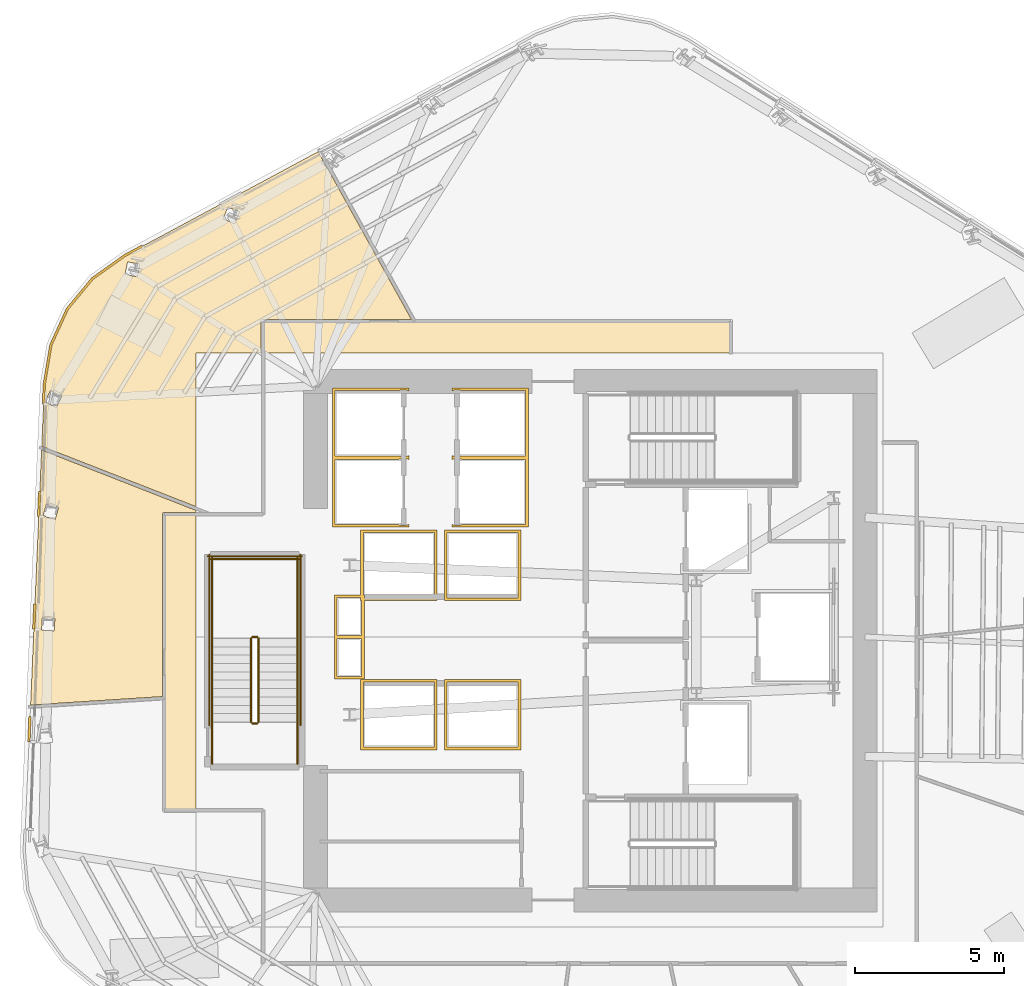
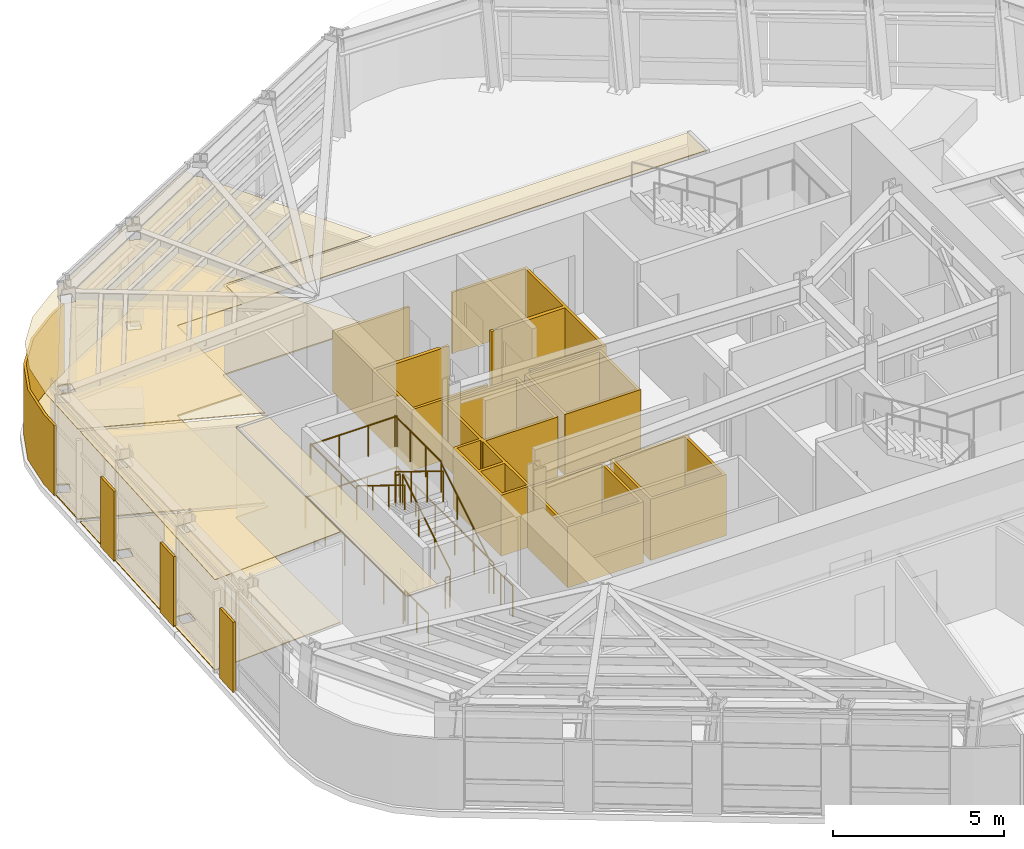
# One storey, part 11 of 14: 16 coverings, 14 railings.
"""IFC4 building model written with IfcOpenShell, lengths in metres."""

from ifc_helpers import new_model, si_unit, direction, frame, origin, origin_2d, place, context, subcontext, project, spatial, polyline, circle, outline, extrude, material, layer, layer_set, type_object, element, save


model = new_model("IFC4")

# Units and contexts
model_context = context("Model", 3, precision=1e-05, world=origin(), true_north=direction((0.0, 1.0)))
body_context = subcontext(model_context, "Body", "Model", "MODEL_VIEW")
ifc_project = project(units=[si_unit("LENGTHUNIT", "METRE"), si_unit("AREAUNIT", "SQUARE_METRE"), si_unit("VOLUMEUNIT", "CUBIC_METRE"), si_unit("PLANEANGLEUNIT", "RADIAN"), si_unit("MASSUNIT", "GRAM", prefix="KILO")], contexts=[model_context])

# Site, building, storey
site_placement = place(None, origin())
site = spatial("IfcSite", under=ifc_project, at=site_placement, CompositionType="ELEMENT")
building_placement = place(site_placement, origin())
building = spatial("IfcBuilding", under=site, at=building_placement, Name="Valkerne Bourse Tower", CompositionType="ELEMENT")
storey_placement = place(building_placement, frame((0.0, 0.0, 143.800048828125)))
storey = spatial("IfcBuildingStorey", under=building, at=storey_placement, Name="L36", CompositionType="ELEMENT", Elevation=143.800048828125)

# Coverings
ifc_material_1 = material(Name="Mineral Fiber Acoustic Ceiling Tile", Category="acoustic")
ifc_layer_1 = layer(ifc_material_1, 0.02490234375)
ifc_layer_set_1 = layer_set([ifc_layer_1], Name="Mineral Fiber Acoustic Ceiling Tile")
covering_type_1 = type_object("IfcCoveringType", Name="COV-CEIL-ACT", PredefinedType="CEILING", material=ifc_layer_set_1)
covering_1_placement = place(storey_placement, frame((0.0, 0.0, 3.22998046875)))
element("IfcCovering", 1, at=covering_1_placement, inside=storey, type_object=covering_type_1, Name="L36 Suspended Ceiling 05", PredefinedType="CEILING", context=body_context, shape_type="SweptSolid", body=[
    extrude(outline(polyline([(32.546630859375, 31.1689453125), (32.50830078125, 31.1552734375), (32.48291015625, 31.116455078125), (32.48095703125, 25.003662109375), (28.072265625, 24.721435546875), (28.4404296875, 33.25537109375), (33.60009765625, 31.236328125), (33.60009765625, 31.1689453125), (32.546630859375, 31.1689453125)]), holes=[polyline([(28.887451171875, 27.614990234375), (28.463623046875, 27.642578125), (28.4365234375, 27.23046875), (28.436279296875, 27.227783203125), (28.860107421875, 27.199951171875), (28.88720703125, 27.6123046875), (28.887451171875, 27.614990234375)]), polyline([(29.0087890625, 31.332275390625), (29.009521484375, 31.3349609375), (28.600341796875, 31.4482421875), (28.489990234375, 31.050048828125), (28.489501953125, 31.047607421875), (28.898681640625, 30.93408203125), (29.0087890625, 31.332275390625)])]), origin(), (0.0, 0.0, 1.0), 0.02490234375),
])
covering_2_placement = place(storey_placement, frame((0.0, 0.0, 3.22998046875)))
element("IfcCovering", 2, at=covering_2_placement, inside=storey, type_object=covering_type_1, Name="L36 Suspended Ceiling 09", PredefinedType="CEILING", context=body_context, shape_type="SweptSolid", body=[
    extrude(outline(polyline([(29.306640625, 37.973388671875), (30.147705078125, 38.990234375), (31.2314453125, 39.760498046875), (37.697998046875, 43.23779296875), (37.8623046875, 42.942626953125), (37.80517578125, 42.85693359375), (37.9716796875, 42.745361328125), (40.814697265625, 37.62890625), (35.849609375, 37.62890625), (35.820068359375, 37.622314453125), (35.794677734375, 37.6015625), (35.781005859375, 37.560791015625), (35.781005859375, 36.5), (33.60009765625, 36.5), (33.60009765625, 31.363037109375), (28.44580078125, 33.3798828125), (28.53564453125, 35.462890625), (28.75732421875, 36.773681640625), (29.306640625, 37.973388671875)]), holes=[polyline([(29.119384765625, 35.053466796875), (28.739013671875, 35.24169921875), (28.555908203125, 34.871337890625), (28.5546875, 34.868896484375), (28.935302734375, 34.6806640625), (29.118408203125, 35.05078125), (29.119384765625, 35.053466796875)]), polyline([(31.723388671875, 39.46875), (31.317138671875, 39.5498046875), (31.315185546875, 39.547607421875), (31.23388671875, 39.1318359375), (31.639892578125, 39.051025390625), (31.6416015625, 39.05322265625), (31.723388671875, 39.46875)]), polyline([(35.05908203125, 41.22900390625), (34.675537109375, 41.384765625), (34.67333984375, 41.3828125), (34.51513671875, 40.989990234375), (34.89892578125, 40.834228515625), (34.90087890625, 40.836181640625), (35.05908203125, 41.22900390625)])]), origin(), (0.0, 0.0, 1.0), 0.02490234375),
])
ifc_material_2 = material(Name="Bronze Anodised Aluminium AA 6063-T6", Category="aluminium")
ifc_layer_2 = layer(ifc_material_2, 0.030029296875)
ifc_layer_set_2 = layer_set([ifc_layer_2], Name="Bronze Anodised Aluminium AA 6063-T6")
covering_type_2 = type_object("IfcCoveringType", Name="COV-CEIL-METAL", PredefinedType="CEILING", material=ifc_layer_set_2)
covering_3_placement = place(storey_placement, frame((0.0, 0.0, 3.22998046875)))
element("IfcCovering", 3, at=covering_3_placement, inside=storey, type_object=covering_type_2, Name="L36 Suspended Ceiling 02", PredefinedType="CEILING", context=body_context, shape_type="SweptSolid", body=[
    extrude(outline(polyline([(32.553955078125, 21.2041015625), (32.553955078125, 31.095947265625), (33.60009765625, 31.095947265625), (33.60009765625, 21.2041015625), (32.553955078125, 21.2041015625)])), origin(), (0.0, 0.0, 1.0), 0.02490234375),
])
covering_4_placement = place(storey_placement, frame((0.0, 0.0, 3.22998046875)))
element("IfcCovering", 4, at=covering_4_placement, inside=storey, type_object=covering_type_2, Name="L36 Suspended Ceiling 03", PredefinedType="CEILING", context=body_context, shape_type="SweptSolid", body=[
    extrude(outline(polyline([(35.85400390625, 37.555908203125), (51.49609375, 37.555908203125), (51.49609375, 36.5), (35.85400390625, 36.5), (35.85400390625, 37.555908203125)])), origin(), (0.0, 0.0, 1.0), 0.02490234375),
])
ifc_layer_3 = layer(ifc_material_2, 0.06005859375)
ifc_layer_set_3 = layer_set([ifc_layer_3], Name="Bronze Anodised Aluminium AA 6063-T6")
covering_type_3 = type_object("IfcCoveringType", Name="COV-CRN-ALUM", PredefinedType="CLADDING", material=ifc_layer_set_3)
covering_5_placement = place(storey_placement, origin())
element("IfcCovering", 5, at=covering_5_placement, inside=storey, type_object=covering_type_3, Name="L36 Wind-Shaped Corner Aluminium Cladding 10", PredefinedType="CLADDING", context=body_context, shape_type="SweptSolid", body=[
    extrude(outline(polyline([(28.01171875, 24.335693359375), (28.091552734375, 24.332763671875), (28.055419921875, 23.493408203125), (27.975341796875, 23.496337890625), (28.01171875, 24.335693359375)])), origin(), (0.0, 0.0, 1.0), 2.5),
])
covering_6_placement = place(storey_placement, origin())
element("IfcCovering", 6, at=covering_6_placement, inside=storey, type_object=covering_type_3, Name="L36 Wind-Shaped Corner Aluminium Cladding 11", PredefinedType="CLADDING", context=body_context, shape_type="SweptSolid", body=[
    extrude(outline(polyline([(28.174072265625, 28.103271484375), (28.254150390625, 28.100341796875), (28.218017578125, 27.260986328125), (28.137939453125, 27.263916015625), (28.174072265625, 28.103271484375)])), origin(), (0.0, 0.0, 1.0), 2.5),
])
covering_7_placement = place(storey_placement, origin())
element("IfcCovering", 7, at=covering_7_placement, inside=storey, type_object=covering_type_3, Name="L36 Wind-Shaped Corner Aluminium Cladding 12", PredefinedType="CLADDING", context=body_context, shape_type="SweptSolid", body=[
    extrude(outline(polyline([(28.336669921875, 31.870849609375), (28.41650390625, 31.867919921875), (28.38037109375, 31.028564453125), (28.300537109375, 31.031494140625), (28.336669921875, 31.870849609375)])), origin(), (0.0, 0.0, 1.0), 2.5),
])
covering_8_placement = place(storey_placement, origin())
element("IfcCovering", 8, at=covering_8_placement, inside=storey, type_object=covering_type_3, Name="L36 Wind-Shaped Corner Aluminium Cladding 13", PredefinedType="CLADDING", context=body_context, shape_type="SweptSolid", body=[
    extrude(outline(polyline([(28.49169921875, 35.467529296875), (28.71484375, 36.786865234375), (29.26904296875, 37.9970703125), (30.11767578125, 39.022705078125), (31.208251953125, 39.7978515625), (31.79736328125, 40.11474609375), (31.8349609375, 40.0439453125), (31.25048828125, 39.729736328125), (30.172607421875, 38.963623046875), (29.33740234375, 37.9541015625), (28.7919921875, 36.76318359375), (28.571533203125, 35.458984375), (28.54296875, 34.796142578125), (28.462890625, 34.79931640625), (28.49169921875, 35.467529296875)])), origin(), (0.0, 0.0, 1.0), 2.5),
])
ifc_material_3 = material(Name="Galvanised Painted Steel", Category="steel")
ifc_layer_4 = layer(ifc_material_3, 0.044921875)
ifc_layer_set_4 = layer_set([ifc_layer_4], Name="Galvanised Painted Steel")
covering_type_4 = type_object("IfcCoveringType", Name="COV-FLR-RAF", PredefinedType="FLOORING", material=ifc_layer_set_4)
covering_9_placement = place(storey_placement, origin())
element("IfcCovering", 9, at=covering_9_placement, inside=storey, type_object=covering_type_4, Name="L36 Floor Finish 09", PredefinedType="FLOORING", context=body_context, shape_type="SweptSolid", body=[
    extrude(outline(polyline([(29.306640625, 37.973388671875), (30.147705078125, 38.990234375), (31.2314453125, 39.760498046875), (37.697998046875, 43.23779296875), (37.8623046875, 42.942626953125), (37.80517578125, 42.85693359375), (37.9716796875, 42.745361328125), (40.814697265625, 37.62890625), (35.849609375, 37.62890625), (35.820068359375, 37.622314453125), (35.794677734375, 37.6015625), (35.781005859375, 37.560791015625), (35.781005859375, 36.5), (33.60009765625, 36.5), (33.60009765625, 31.363037109375), (28.44580078125, 33.3798828125), (28.53564453125, 35.462890625), (28.75732421875, 36.773681640625), (29.306640625, 37.973388671875)]), holes=[polyline([(29.119384765625, 35.053466796875), (28.739013671875, 35.24169921875), (28.555908203125, 34.871337890625), (28.5546875, 34.868896484375), (28.935302734375, 34.6806640625), (29.118408203125, 35.05078125), (29.119384765625, 35.053466796875)]), polyline([(31.723388671875, 39.46875), (31.317138671875, 39.5498046875), (31.315185546875, 39.547607421875), (31.23388671875, 39.1318359375), (31.639892578125, 39.051025390625), (31.6416015625, 39.05322265625), (31.723388671875, 39.46875)]), polyline([(35.05908203125, 41.22900390625), (34.675537109375, 41.384765625), (34.67333984375, 41.3828125), (34.51513671875, 40.989990234375), (34.89892578125, 40.834228515625), (34.90087890625, 40.836181640625), (35.05908203125, 41.22900390625)])]), origin(), (0.0, 0.0, 1.0), 0.044921875),
])
ifc_material_4 = material(Name="Polished Granite Stone", Category="masonry")
ifc_layer_5 = layer(ifc_material_4, 0.030029296875)
ifc_layer_set_5 = layer_set([ifc_layer_5], Name="Polished Granite Stone")
covering_type_5 = type_object("IfcCoveringType", Name="COV-FLR-TERRAZZO", PredefinedType="FLOORING", material=ifc_layer_set_5)
covering_10_placement = place(storey_placement, origin())
element("IfcCovering", 10, at=covering_10_placement, inside=storey, type_object=covering_type_5, Name="L36 Floor Finish 05", PredefinedType="FLOORING", context=body_context, shape_type="SweptSolid", body=[
    extrude(outline(polyline([(32.546630859375, 31.1689453125), (32.50830078125, 31.1552734375), (32.48291015625, 31.116455078125), (32.48095703125, 25.003662109375), (28.072265625, 24.721435546875), (28.4404296875, 33.25537109375), (33.60009765625, 31.236328125), (33.60009765625, 31.1689453125), (32.546630859375, 31.1689453125)]), holes=[polyline([(28.887451171875, 27.614990234375), (28.463623046875, 27.642578125), (28.4365234375, 27.23046875), (28.436279296875, 27.227783203125), (28.860107421875, 27.199951171875), (28.88720703125, 27.6123046875), (28.887451171875, 27.614990234375)]), polyline([(29.0087890625, 31.332275390625), (29.009521484375, 31.3349609375), (28.600341796875, 31.4482421875), (28.489990234375, 31.050048828125), (28.489501953125, 31.047607421875), (28.898681640625, 30.93408203125), (29.0087890625, 31.332275390625)])]), origin(), (0.0, 0.0, 1.0), 0.030029296875),
])
ifc_material_5 = material(Name="Gypsum Shaftwall Liner Board", Category="gypsum")
ifc_layer_6 = layer(ifc_material_5, 0.080078125)
ifc_layer_set_6 = layer_set([ifc_layer_6], Name="Gypsum Shaftwall Liner Board")
covering_type_6 = type_object("IfcCoveringType", Name="COV-SHF-CLAD", PredefinedType="CLADDING", material=ifc_layer_set_6)
covering_11_placement = place(storey_placement, origin())
element("IfcCovering", 11, at=covering_11_placement, inside=storey, type_object=covering_type_6, Name="L36 Hoistway & Riser Shaftwall Liner 01", PredefinedType="CLADDING", context=body_context, shape_type="SweptSolid", body=[
    extrude(outline(polyline([(41.679931640625, 25.580078125), (41.679931640625, 23.219970703125), (39.1201171875, 23.219970703125), (39.1201171875, 25.580078125), (41.679931640625, 25.580078125)]), holes=[polyline([(41.590087890625, 25.489990234375), (39.2099609375, 25.489990234375), (39.2099609375, 23.31005859375), (41.590087890625, 23.31005859375), (41.590087890625, 25.489990234375)])]), origin(), (0.0, 0.0, 1.0), 2.179931640625),
])
covering_12_placement = place(storey_placement, origin())
element("IfcCovering", 12, at=covering_12_placement, inside=storey, type_object=covering_type_6, Name="L36 Hoistway & Riser Shaftwall Liner 02", PredefinedType="CLADDING", context=body_context, shape_type="SweptSolid", body=[
    extrude(outline(polyline([(44.47998046875, 23.219970703125), (41.919921875, 23.219970703125), (41.919921875, 25.580078125), (44.47998046875, 25.580078125), (44.47998046875, 23.219970703125)]), holes=[polyline([(42.010009765625, 25.489990234375), (42.010009765625, 23.31005859375), (44.389892578125, 23.31005859375), (44.389892578125, 25.489990234375), (42.010009765625, 25.489990234375)])]), origin(), (0.0, 0.0, 1.0), 2.179931640625),
])
covering_13_placement = place(storey_placement, origin())
element("IfcCovering", 13, at=covering_13_placement, inside=storey, type_object=covering_type_6, Name="L36 Hoistway & Riser Shaftwall Liner 03", PredefinedType="CLADDING", context=body_context, shape_type="SweptSolid", body=[
    extrude(outline(polyline([(38.239990234375, 28.409912109375), (39.1201171875, 28.409912109375), (39.1201171875, 30.580078125), (41.679931640625, 30.580078125), (41.679931640625, 28.219970703125), (39.239990234375, 28.219970703125), (39.239990234375, 27.0400390625), (39.239990234375, 26.9599609375), (39.239990234375, 25.590087890625), (38.239990234375, 25.590087890625), (38.239990234375, 26.9599609375), (38.239990234375, 27.0400390625), (38.239990234375, 28.409912109375)]), holes=[polyline([(38.330078125, 26.949951171875), (38.330078125, 25.679931640625), (39.14990234375, 25.679931640625), (39.14990234375, 26.949951171875), (38.330078125, 26.949951171875)]), polyline([(39.2099609375, 30.489990234375), (39.2099609375, 28.409912109375), (39.239990234375, 28.409912109375), (39.239990234375, 28.31005859375), (41.590087890625, 28.31005859375), (41.590087890625, 30.489990234375), (39.2099609375, 30.489990234375)]), polyline([(38.330078125, 27.050048828125), (39.14990234375, 27.050048828125), (39.14990234375, 28.219970703125), (39.1201171875, 28.219970703125), (39.1201171875, 28.320068359375), (38.330078125, 28.320068359375), (38.330078125, 27.050048828125)])]), origin(), (0.0, 0.0, 1.0), 2.179931640625),
])
covering_14_placement = place(storey_placement, origin())
element("IfcCovering", 14, at=covering_14_placement, inside=storey, type_object=covering_type_6, Name="L36 Hoistway & Riser Shaftwall Liner 04", PredefinedType="CLADDING", context=body_context, shape_type="SweptSolid", body=[
    extrude(outline(polyline([(38.169921875, 35.330078125), (40.72998046875, 35.330078125), (40.72998046875, 35.232177734375), (40.72216796875, 35.235595703125), (40.6806640625, 35.25048828125), (40.6376953125, 35.261474609375), (40.593994140625, 35.267822265625), (40.550048828125, 35.27001953125), (40.505859375, 35.267822265625), (40.462158203125, 35.261474609375), (40.41943359375, 35.25048828125), (40.3896484375, 35.239990234375), (38.260009765625, 35.239990234375), (38.260009765625, 33.06005859375), (40.3896484375, 33.06005859375), (40.41943359375, 33.04931640625), (40.462158203125, 33.03857421875), (40.505859375, 33.0322265625), (40.550048828125, 33.030029296875), (40.593994140625, 33.0322265625), (40.6376953125, 33.03857421875), (40.6806640625, 33.04931640625), (40.72216796875, 33.064208984375), (40.72998046875, 33.06787109375), (40.72998046875, 33.030029296875), (40.72998046875, 32.969970703125), (40.72998046875, 32.93212890625), (40.72216796875, 32.935791015625), (40.6806640625, 32.95068359375), (40.6376953125, 32.96142578125), (40.593994140625, 32.9677734375), (40.550048828125, 32.969970703125), (40.505859375, 32.9677734375), (40.462158203125, 32.96142578125), (40.41943359375, 32.95068359375), (40.3896484375, 32.93994140625), (38.260009765625, 32.93994140625), (38.260009765625, 30.760009765625), (40.3896484375, 30.760009765625), (40.41943359375, 30.74951171875), (40.462158203125, 30.738525390625), (40.505859375, 30.732177734375), (40.550048828125, 30.72998046875), (40.593994140625, 30.732177734375), (40.6376953125, 30.738525390625), (40.6806640625, 30.74951171875), (40.72216796875, 30.764404296875), (40.72998046875, 30.767822265625), (40.72998046875, 30.669921875), (38.169921875, 30.669921875), (38.169921875, 32.969970703125), (38.169921875, 33.030029296875), (38.169921875, 35.330078125)])), origin(), (0.0, 0.0, 1.0), 2.179931640625),
])
covering_15_placement = place(storey_placement, origin())
element("IfcCovering", 15, at=covering_15_placement, inside=storey, type_object=covering_type_6, Name="L36 Hoistway & Riser Shaftwall Liner 07", PredefinedType="CLADDING", context=body_context, shape_type="SweptSolid", body=[
    extrude(outline(polyline([(44.47998046875, 28.219970703125), (41.919921875, 28.219970703125), (41.919921875, 30.580078125), (44.47998046875, 30.580078125), (44.47998046875, 28.219970703125)]), holes=[polyline([(42.010009765625, 30.489990234375), (42.010009765625, 28.31005859375), (44.389892578125, 28.31005859375), (44.389892578125, 30.489990234375), (42.010009765625, 30.489990234375)])]), origin(), (0.0, 0.0, 1.0), 2.179931640625),
])
covering_16_placement = place(storey_placement, origin())
element("IfcCovering", 16, at=covering_16_placement, inside=storey, type_object=covering_type_6, Name="L36 Hoistway & Riser Shaftwall Liner 09", PredefinedType="CLADDING", context=body_context, shape_type="SweptSolid", body=[
    extrude(outline(polyline([(42.169921875, 33.06787109375), (42.177734375, 33.064208984375), (42.219482421875, 33.04931640625), (42.26220703125, 33.03857421875), (42.305908203125, 33.0322265625), (42.35009765625, 33.030029296875), (42.39404296875, 33.0322265625), (42.437744140625, 33.03857421875), (42.480712890625, 33.04931640625), (42.51025390625, 33.06005859375), (44.639892578125, 33.06005859375), (44.639892578125, 35.239990234375), (42.51025390625, 35.239990234375), (42.480712890625, 35.25048828125), (42.437744140625, 35.261474609375), (42.39404296875, 35.267822265625), (42.35009765625, 35.27001953125), (42.305908203125, 35.267822265625), (42.26220703125, 35.261474609375), (42.219482421875, 35.25048828125), (42.177734375, 35.235595703125), (42.169921875, 35.232177734375), (42.169921875, 35.330078125), (44.72998046875, 35.330078125), (44.72998046875, 33.030029296875), (44.72998046875, 32.969970703125), (44.72998046875, 30.669921875), (42.169921875, 30.669921875), (42.169921875, 30.767822265625), (42.177734375, 30.764404296875), (42.219482421875, 30.74951171875), (42.26220703125, 30.738525390625), (42.305908203125, 30.732177734375), (42.35009765625, 30.72998046875), (42.39404296875, 30.732177734375), (42.437744140625, 30.738525390625), (42.480712890625, 30.74951171875), (42.51025390625, 30.760009765625), (44.639892578125, 30.760009765625), (44.639892578125, 32.93994140625), (42.51025390625, 32.93994140625), (42.480712890625, 32.95068359375), (42.437744140625, 32.96142578125), (42.39404296875, 32.9677734375), (42.35009765625, 32.969970703125), (42.305908203125, 32.9677734375), (42.26220703125, 32.96142578125), (42.219482421875, 32.95068359375), (42.177734375, 32.935791015625), (42.169921875, 32.93212890625), (42.169921875, 32.969970703125), (42.169921875, 33.030029296875), (42.169921875, 33.06787109375)])), origin(), (0.0, 0.0, 1.0), 2.179931640625),
])

# Railings
railing_type_1 = type_object("IfcRailingType", Name="RLG-ST-GUARD-1120", PredefinedType="GUARDRAIL", material=ifc_material_3)
railing_1_placement = place(storey_placement, frame((35.699951171875, 24.14990234375, 0.172607421875)))
element("IfcRailing", 17, at=railing_1_placement, inside=storey, type_object=railing_type_1, Name="L36 ST-3 stair guard 1", PredefinedType="GUARDRAIL", context=body_context, shape_type="SweptSolid", body=[
    extrude(circle(Radius=0.02392578125, at=origin_2d()), frame((0.0, 0.0, 1.09619140625), z_axis=(0.0, 0.851089632645, 0.525020415988), x_axis=(-1.0, 0.0, 0.0)), (0.0, 0.0, 1.0), 3.2900390625),
    extrude(circle(Radius=0.02099609375, at=origin_2d()), origin(), (0.0, 0.0, 1.0), 1.072021484375),
    extrude(circle(Radius=0.02099609375, at=origin_2d()), frame((0.0, 0.933349609375, 0.57568359375)), (0.0, 0.0, 1.0), 1.072021484375),
    extrude(circle(Radius=0.02099609375, at=origin_2d()), frame((0.0, 1.86669921875, 1.151611328125)), (0.0, 0.0, 1.0), 1.072021484375),
    extrude(circle(Radius=0.02099609375, at=origin_2d()), frame((0.0, 2.800048828125, 1.727294921875)), (0.0, 0.0, 1.0), 1.072021484375),
])
railing_2_placement = place(storey_placement, frame((35.64990234375, 27.0, 1.89990234375)))
element("IfcRailing", 18, at=railing_2_placement, inside=storey, type_object=railing_type_1, Name="L36 ST-3 stair guard 2", PredefinedType="GUARDRAIL", context=body_context, shape_type="SweptSolid", body=[
    extrude(circle(Radius=0.02392578125, at=origin_2d()), frame((0.0, 0.0, 1.09619140625), z_axis=(-1.0, 0.0, 0.0), x_axis=(0.0, -1.0, 0.0)), (0.0, 0.0, 1.0), 0.14990234375),
    extrude(circle(Radius=0.02099609375, at=origin_2d()), origin(), (0.0, 0.0, 1.0), 1.072021484375),
    extrude(circle(Radius=0.02099609375, at=origin_2d()), frame((-0.14990234375, 0.0, 0.0)), (0.0, 0.0, 1.0), 1.072021484375),
])
for number, where, name in (
    (19, (37.0, 26.949951171875, 1.89990234375), "L36 ST-3 stair guard 3"),
    (20, (34.14990234375, 26.949951171875, 1.89990234375), "L36 ST-3 stair guard 4"),
):
    element("IfcRailing", number, at=place(storey_placement, frame(where)), inside=storey, type_object=railing_type_1, Name=name, PredefinedType="GUARDRAIL", context=body_context, shape_type="SweptSolid", body=[
        extrude(circle(Radius=0.02392578125, at=origin_2d()), frame((0.0, 0.0, 1.09619140625), z_axis=(0.0, 1.0, 0.0), x_axis=(-1.0, 0.0, 0.0)), (0.0, 0.0, 1.0), 2.699951171875),
        extrude(circle(Radius=0.02099609375, at=origin_2d()), origin(), (0.0, 0.0, 1.0), 1.072021484375),
        extrude(circle(Radius=0.02099609375, at=origin_2d()), frame((0.0, 0.89990234375, 0.0)), (0.0, 0.0, 1.0), 1.072021484375),
        extrude(circle(Radius=0.02099609375, at=origin_2d()), frame((0.0, 1.800048828125, 0.0)), (0.0, 0.0, 1.0), 1.072021484375),
        extrude(circle(Radius=0.02099609375, at=origin_2d()), frame((0.0, 2.699951171875, 0.0)), (0.0, 0.0, 1.0), 1.072021484375),
    ])
railing_3_placement = place(storey_placement, frame((37.050048828125, 29.60009765625, 1.89990234375)))
element("IfcRailing", 21, at=railing_3_placement, inside=storey, type_object=railing_type_1, Name="L36 ST-3 stair guard 5", PredefinedType="GUARDRAIL", context=body_context, shape_type="SweptSolid", body=[
    extrude(circle(Radius=0.02392578125, at=origin_2d()), frame((0.0, 0.0, 1.09619140625), z_axis=(-1.0, 0.0, 0.0), x_axis=(0.0, -1.0, 0.0)), (0.0, 0.0, 1.0), 2.949951171875),
    extrude(circle(Radius=0.02099609375, at=origin_2d()), origin(), (0.0, 0.0, 1.0), 1.072021484375),
    extrude(circle(Radius=0.02099609375, at=origin_2d()), frame((-0.9833984375, 0.0, 0.0)), (0.0, 0.0, 1.0), 1.072021484375),
    extrude(circle(Radius=0.02099609375, at=origin_2d()), frame((-1.966552734375, 0.0, 0.0)), (0.0, 0.0, 1.0), 1.072021484375),
    extrude(circle(Radius=0.02099609375, at=origin_2d()), frame((-2.949951171875, 0.0, 0.0)), (0.0, 0.0, 1.0), 1.072021484375),
])
railing_4_placement = place(storey_placement, frame((35.449951171875, 26.949951171875, 2.07275390625)))
element("IfcRailing", 22, at=railing_4_placement, inside=storey, type_object=railing_type_1, Name="L36 ST-3 stair guard 6", PredefinedType="GUARDRAIL", context=body_context, shape_type="SweptSolid", body=[
    extrude(circle(Radius=0.02392578125, at=origin_2d()), frame((0.0, 0.0, 1.09619140625), z_axis=(0.0, -0.851089632645, 0.525020415988), x_axis=(1.0, 0.0, 0.0)), (0.0, 0.0, 1.0), 3.2900390625),
    extrude(circle(Radius=0.02099609375, at=origin_2d()), origin(), (0.0, 0.0, 1.0), 1.072021484375),
    extrude(circle(Radius=0.02099609375, at=origin_2d()), frame((0.0, -0.933349609375, 0.57568359375)), (0.0, 0.0, 1.0), 1.072021484375),
    extrude(circle(Radius=0.02099609375, at=origin_2d()), frame((0.0, -1.86669921875, 1.151611328125)), (0.0, 0.0, 1.0), 1.072021484375),
    extrude(circle(Radius=0.02099609375, at=origin_2d()), frame((0.0, -2.800048828125, 1.727294921875)), (0.0, 0.0, 1.0), 1.072021484375),
])
railing_5_placement = place(storey_placement, frame((35.64990234375, 24.10009765625, 0.0)))
element("IfcRailing", 23, at=railing_5_placement, inside=storey, type_object=railing_type_1, Name="L36 ST-3 stair guard 7", PredefinedType="GUARDRAIL", context=body_context, shape_type="SweptSolid", body=[
    extrude(circle(Radius=0.02392578125, at=origin_2d()), frame((0.0, 0.0, 1.09619140625), z_axis=(-1.0, 0.0, 0.0), x_axis=(0.0, -1.0, 0.0)), (0.0, 0.0, 1.0), 0.14990234375),
    extrude(circle(Radius=0.02099609375, at=origin_2d()), origin(), (0.0, 0.0, 1.0), 1.072021484375),
    extrude(circle(Radius=0.02099609375, at=origin_2d()), frame((-0.14990234375, 0.0, 0.0)), (0.0, 0.0, 1.0), 1.072021484375),
])
for number, where, name in (
    (24, (37.0, 22.75, 0.0), "L36 ST-3 stair guard 8"),
    (25, (34.14990234375, 22.75, 0.0), "L36 ST-3 stair guard 9"),
):
    element("IfcRailing", number, at=place(storey_placement, frame(where)), inside=storey, type_object=railing_type_1, Name=name, PredefinedType="GUARDRAIL", context=body_context, shape_type="SweptSolid", body=[
        extrude(circle(Radius=0.02392578125, at=origin_2d()), frame((0.0, 0.0, 1.09619140625), z_axis=(0.0, 1.0, 0.0), x_axis=(-1.0, 0.0, 0.0)), (0.0, 0.0, 1.0), 1.39990234375),
        extrude(circle(Radius=0.02099609375, at=origin_2d()), origin(), (0.0, 0.0, 1.0), 1.072021484375),
        extrude(circle(Radius=0.02099609375, at=origin_2d()), frame((0.0, 0.699951171875, 0.0)), (0.0, 0.0, 1.0), 1.072021484375),
        extrude(circle(Radius=0.02099609375, at=origin_2d()), frame((0.0, 1.39990234375, 0.0)), (0.0, 0.0, 1.0), 1.072021484375),
    ])
for number, where, name in (
    (26, (37.10009765625, 24.050048828125, 0.0), "L36 ST-3 stair guard 10"),
    (27, (34.050048828125, 24.050048828125, 0.0), "L36 ST-3 stair guard 11"),
):
    element("IfcRailing", number, at=place(storey_placement, frame(where)), inside=storey, type_object=railing_type_1, Name=name, PredefinedType="GUARDRAIL", context=body_context, shape_type="SweptSolid", body=[
        extrude(circle(Radius=0.02392578125, at=origin_2d()), frame((0.0, 0.0, 1.09619140625), z_axis=(0.0, 1.0, 0.0), x_axis=(-1.0, 0.0, 0.0)), (0.0, 0.0, 1.0), 5.699951171875),
        extrude(circle(Radius=0.02099609375, at=origin_2d()), origin(), (0.0, 0.0, 1.0), 1.072021484375),
        extrude(circle(Radius=0.02099609375, at=origin_2d()), frame((0.0, 1.139892578125, 0.0)), (0.0, 0.0, 1.0), 1.072021484375),
        extrude(circle(Radius=0.02099609375, at=origin_2d()), frame((0.0, 2.280029296875, 0.0)), (0.0, 0.0, 1.0), 1.072021484375),
        extrude(circle(Radius=0.02099609375, at=origin_2d()), frame((0.0, 3.419921875, 0.0)), (0.0, 0.0, 1.0), 1.072021484375),
        extrude(circle(Radius=0.02099609375, at=origin_2d()), frame((0.0, 4.56005859375, 0.0)), (0.0, 0.0, 1.0), 1.072021484375),
        extrude(circle(Radius=0.02099609375, at=origin_2d()), frame((0.0, 5.699951171875, 0.0)), (0.0, 0.0, 1.0), 1.072021484375),
    ])
railing_6_placement = place(storey_placement, frame((37.14990234375, 29.699951171875, 0.0)))
element("IfcRailing", 28, at=railing_6_placement, inside=storey, type_object=railing_type_1, Name="L36 ST-3 stair guard 12", PredefinedType="GUARDRAIL", context=body_context, shape_type="SweptSolid", body=[
    extrude(circle(Radius=0.02392578125, at=origin_2d()), frame((0.0, 0.0, 1.09619140625), z_axis=(-1.0, 0.0, 0.0), x_axis=(0.0, -1.0, 0.0)), (0.0, 0.0, 1.0), 3.14990234375),
    extrude(circle(Radius=0.02099609375, at=origin_2d()), origin(), (0.0, 0.0, 1.0), 1.072021484375),
    extrude(circle(Radius=0.02099609375, at=origin_2d()), frame((-1.050048828125, 0.0, 0.0)), (0.0, 0.0, 1.0), 1.072021484375),
    extrude(circle(Radius=0.02099609375, at=origin_2d()), frame((-2.099853515625, 0.0, 0.0)), (0.0, 0.0, 1.0), 1.072021484375),
    extrude(circle(Radius=0.02099609375, at=origin_2d()), frame((-3.14990234375, 0.0, 0.0)), (0.0, 0.0, 1.0), 1.072021484375),
])
ifc_material_6 = material(Name="Stainless Steel AISI 316", Category="steel")
railing_type_2 = type_object("IfcRailingType", Name="RLG-ST-HANDRAIL-900", PredefinedType="HANDRAIL", material=ifc_material_6)
railing_7_placement = place(storey_placement, frame((37.0, 24.14990234375, 0.345458984375)))
element("IfcRailing", 29, at=railing_7_placement, inside=storey, type_object=railing_type_2, Name="L36 ST-3 stair handrail 1", PredefinedType="HANDRAIL", context=body_context, shape_type="SweptSolid", body=[
    extrude(circle(Radius=0.02392578125, at=origin_2d()), frame((0.0, 0.0, 0.8759765625), z_axis=(0.0, 0.851089632645, 0.525020415988), x_axis=(-1.0, 0.0, 0.0)), (0.0, 0.0, 1.0), 3.2900390625),
    extrude(circle(Radius=0.02099609375, at=origin_2d()), origin(), (0.0, 0.0, 1.0), 0.851806640625),
    extrude(circle(Radius=0.02099609375, at=origin_2d()), frame((0.0, 0.933349609375, 0.57568359375)), (0.0, 0.0, 1.0), 0.851806640625),
    extrude(circle(Radius=0.02099609375, at=origin_2d()), frame((0.0, 1.86669921875, 1.151611328125)), (0.0, 0.0, 1.0), 0.851806640625),
    extrude(circle(Radius=0.02099609375, at=origin_2d()), frame((0.0, 2.800048828125, 1.727294921875)), (0.0, 0.0, 1.0), 0.851806640625),
])
railing_8_placement = place(storey_placement, frame((34.14990234375, 26.949951171875, 2.245361328125)))
element("IfcRailing", 30, at=railing_8_placement, inside=storey, type_object=railing_type_2, Name="L36 ST-3 stair handrail 2", PredefinedType="HANDRAIL", context=body_context, shape_type="SweptSolid", body=[
    extrude(circle(Radius=0.02392578125, at=origin_2d()), frame((0.0, 0.0, 0.8759765625), z_axis=(0.0, -0.851089632645, 0.525020415988), x_axis=(1.0, 0.0, 0.0)), (0.0, 0.0, 1.0), 3.2900390625),
    extrude(circle(Radius=0.02099609375, at=origin_2d()), origin(), (0.0, 0.0, 1.0), 0.851806640625),
    extrude(circle(Radius=0.02099609375, at=origin_2d()), frame((0.0, -0.933349609375, 0.57568359375)), (0.0, 0.0, 1.0), 0.851806640625),
    extrude(circle(Radius=0.02099609375, at=origin_2d()), frame((0.0, -1.86669921875, 1.151611328125)), (0.0, 0.0, 1.0), 0.851806640625),
    extrude(circle(Radius=0.02099609375, at=origin_2d()), frame((0.0, -2.800048828125, 1.727294921875)), (0.0, 0.0, 1.0), 0.851806640625),
])

save(model, "model.ifc")
